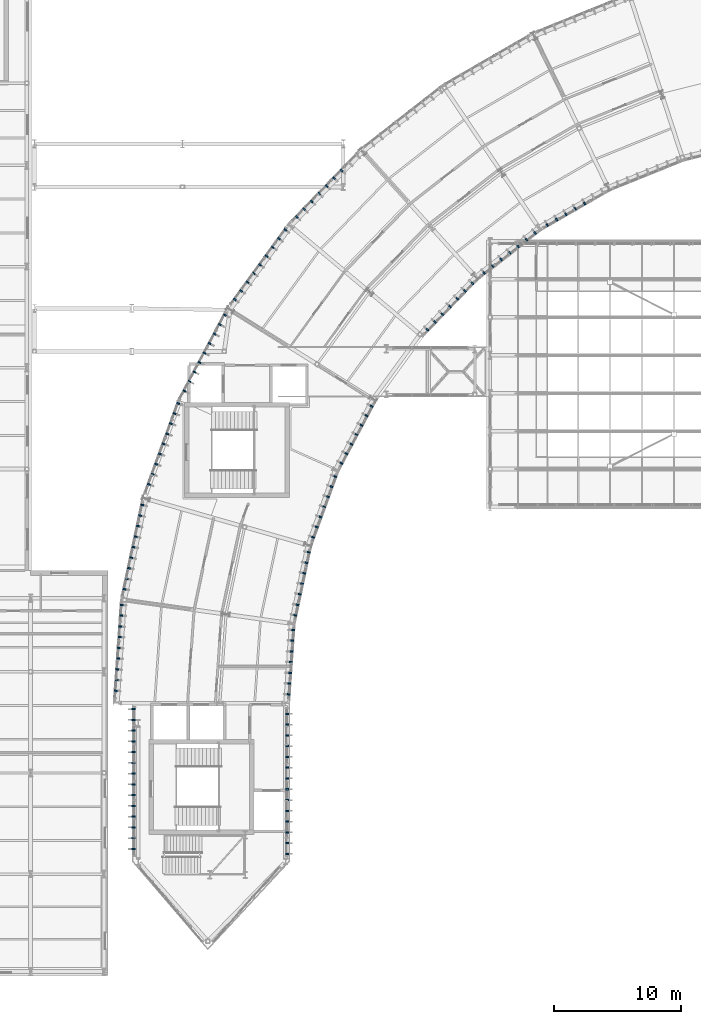
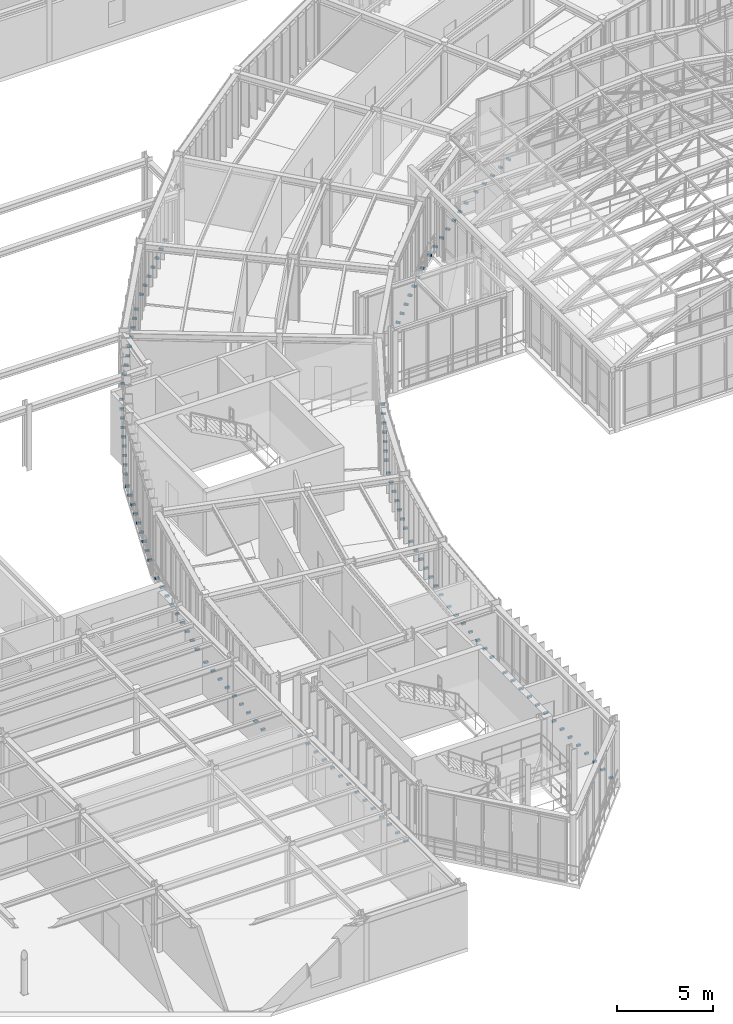
# One storey, part 135 of 148: 127 discrete accessories.
"""IFC4 building model written with IfcOpenShell, lengths in metres."""

from ifc_helpers import new_model, si_unit, direction, frame, origin, origin_2d, place, context, subcontext, project, spatial, rectangle, extrude, material, type_object, element, save


model = new_model("IFC4")

# Units and contexts
model_context = context("Model", 3, precision=1e-05, world=origin(), true_north=direction((0.0, 1.0)))
body_context = subcontext(model_context, "Body", "Model", "MODEL_VIEW")
ifc_project = project(units=[si_unit("LENGTHUNIT", "METRE"), si_unit("AREAUNIT", "SQUARE_METRE"), si_unit("VOLUMEUNIT", "CUBIC_METRE"), si_unit("PLANEANGLEUNIT", "RADIAN"), si_unit("MASSUNIT", "GRAM", prefix="KILO"), si_unit("THERMODYNAMICTEMPERATUREUNIT", "KELVIN"), si_unit("POWERUNIT", "WATT")], contexts=[model_context])

# Site, building, storey
site_placement = place(None, origin())
site = spatial("IfcSite", under=ifc_project, at=site_placement, CompositionType="ELEMENT")
building_placement = place(site_placement, origin())
building = spatial("IfcBuilding", under=site, at=building_placement, Name="Solvatero Civic Police Headquarters", CompositionType="ELEMENT")
storey_placement = place(building_placement, frame((0.0, 0.0, 5.10009765625)))
storey = spatial("IfcBuildingStorey", under=building, at=storey_placement, Name="L01", CompositionType="ELEMENT", Elevation=5.10009765625)

# Discrete accessories
ifc_material = material(Name="Steel S355", Category="steel")
discrete_accessory_type = type_object("IfcDiscreteAccessoryType", Name="ACC-BRK-FIN", PredefinedType="BRACKET", material=ifc_material)
for number, where, z_axis, x_axis, name in (
    (1, (72.269775390625, 65.485107421875, -0.000244140625), (0.0, 0.0, 1.0), (-0.866025403784, -0.5, 0.0), "Slab-Edge Fin Bracket 0229"),
    (2, (71.53369140625, 65.06005859375, -0.000244140625), (0.0, 0.0, 1.0), (-0.866025403784, -0.5, 0.0), "Slab-Edge Fin Bracket 0230"),
    (3, (70.797607421875, 64.635009765625, -0.000244140625), (0.0, 0.0, 1.0), (-0.866025403784, -0.5, 0.0), "Slab-Edge Fin Bracket 0231"),
    (4, (70.061279296875, 64.2099609375, -0.000244140625), (0.0, 0.0, 1.0), (-0.866025403784, -0.5, 0.0), "Slab-Edge Fin Bracket 0232"),
    (5, (69.3251953125, 63.784912109375, -0.000244140625), (0.0, 0.0, 1.0), (-0.866025403784, -0.5, 0.0), "Slab-Edge Fin Bracket 0233"),
    (6, (68.35546875, 63.146484375, -0.000244140625), (0.0, 0.0, 1.0), (-0.788010753607, -0.615661475326, 0.0), "Slab-Edge Fin Bracket 0243"),
    (7, (67.685791015625, 62.623291015625, -0.000244140625), (0.0, 0.0, 1.0), (-0.788010753607, -0.615661475326, 0.0), "Slab-Edge Fin Bracket 0244"),
    (8, (67.015869140625, 62.099853515625, -0.000244140625), (0.0, 0.0, 1.0), (-0.788010753607, -0.615661475326, 0.0), "Slab-Edge Fin Bracket 0245"),
    (9, (66.34619140625, 61.576416015625, -0.000244140625), (0.0, 0.0, 1.0), (-0.788010753607, -0.615661475326, 0.0), "Slab-Edge Fin Bracket 0246"),
    (10, (65.67626953125, 61.05322265625, -0.000244140625), (0.0, 0.0, 1.0), (-0.788010753607, -0.615661475326, 0.0), "Slab-Edge Fin Bracket 0247"),
    (11, (65.006591796875, 60.52978515625, -0.000244140625), (0.0, 0.0, 1.0), (-0.788010753607, -0.615661475326, 0.0), "Slab-Edge Fin Bracket 0248"),
    (12, (64.336669921875, 60.006591796875, -0.000244140625), (0.0, 0.0, 1.0), (-0.788010753607, -0.615661475326, 0.0), "Slab-Edge Fin Bracket 0249"),
    (13, (53.0703125, 68.0986328125, -0.000244140625), (0.0, 0.0, 1.0), (-0.694645815505, -0.719351924305, 0.0), "Slab-Edge Fin Bracket 0252"),
    (14, (52.47998046875, 67.4873046875, -0.000244140625), (0.0, 0.0, 1.0), (-0.694645815505, -0.719351924305, 0.0), "Slab-Edge Fin Bracket 0253"),
    (15, (51.889404296875, 66.875732421875, -0.000244140625), (0.0, 0.0, 1.0), (-0.694645815505, -0.719351924305, 0.0), "Slab-Edge Fin Bracket 0254"),
    (16, (51.299072265625, 66.264404296875, -0.000244140625), (0.0, 0.0, 1.0), (-0.694645815505, -0.719351924305, 0.0), "Slab-Edge Fin Bracket 0255"),
    (17, (50.70849609375, 65.65283203125, -0.000244140625), (0.0, 0.0, 1.0), (-0.694645815505, -0.719351924305, 0.0), "Slab-Edge Fin Bracket 0256"),
    (18, (50.117919921875, 65.04150390625, -0.000244140625), (0.0, 0.0, 1.0), (-0.694645815505, -0.719351924305, 0.0), "Slab-Edge Fin Bracket 0257"),
    (19, (49.527587890625, 64.43017578125, -0.000244140625), (0.0, 0.0, 1.0), (-0.694645815505, -0.719351924305, 0.0), "Slab-Edge Fin Bracket 0258"),
    (20, (63.40185546875, 59.181396484375, -0.000244140625), (0.0, 0.0, 1.0), (-0.694658370459, -0.719339800339, 0.0), "Slab-Edge Fin Bracket 0259"),
    (21, (62.811279296875, 58.56982421875, -0.000244140625), (0.0, 0.0, 1.0), (-0.694658370459, -0.719339800339, 0.0), "Slab-Edge Fin Bracket 0260"),
    (22, (62.220947265625, 57.95849609375, -0.000244140625), (0.0, 0.0, 1.0), (-0.694658370459, -0.719339800339, 0.0), "Slab-Edge Fin Bracket 0261"),
    (23, (61.630615234375, 57.346923828125, -0.000244140625), (0.0, 0.0, 1.0), (-0.694658370459, -0.719339800339, 0.0), "Slab-Edge Fin Bracket 0262"),
    (24, (61.0400390625, 56.735595703125, -0.000244140625), (0.0, 0.0, 1.0), (-0.694658370459, -0.719339800339, 0.0), "Slab-Edge Fin Bracket 0263"),
    (25, (60.44970703125, 56.1240234375, -0.000244140625), (0.0, 0.0, 1.0), (-0.694658370459, -0.719339800339, 0.0), "Slab-Edge Fin Bracket 0264"),
    (26, (59.859130859375, 55.5126953125, -0.000244140625), (0.0, 0.0, 1.0), (-0.694658370459, -0.719339800339, 0.0), "Slab-Edge Fin Bracket 0265"),
    (27, (48.63134765625, 63.398681640625, -0.000244140625), (0.0, 0.0, 1.0), (-0.587785252292, -0.809016994375, 0.0), "Slab-Edge Fin Bracket 0266"),
    (28, (48.131591796875, 62.711181640625, -0.000244140625), (0.0, 0.0, 1.0), (-0.587785252292, -0.809016994375, 0.0), "Slab-Edge Fin Bracket 0267"),
    (29, (47.632080078125, 62.0234375, -0.000244140625), (0.0, 0.0, 1.0), (-0.587785252292, -0.809016994375, 0.0), "Slab-Edge Fin Bracket 0268"),
    (30, (47.13232421875, 61.335693359375, -0.000244140625), (0.0, 0.0, 1.0), (-0.587785252292, -0.809016994375, 0.0), "Slab-Edge Fin Bracket 0269"),
    (31, (46.6328125, 60.648193359375, -0.000244140625), (0.0, 0.0, 1.0), (-0.587785252292, -0.809016994375, 0.0), "Slab-Edge Fin Bracket 0270"),
    (32, (46.13330078125, 59.96044921875, -0.000244140625), (0.0, 0.0, 1.0), (-0.587785252292, -0.809016994375, 0.0), "Slab-Edge Fin Bracket 0271"),
    (33, (45.633544921875, 59.272705078125, -0.000244140625), (0.0, 0.0, 1.0), (-0.587785252292, -0.809016994375, 0.0), "Slab-Edge Fin Bracket 0272"),
    (34, (45.134033203125, 58.585205078125, -0.000244140625), (0.0, 0.0, 1.0), (-0.587785252292, -0.809016994375, 0.0), "Slab-Edge Fin Bracket 0273"),
    (35, (44.63427734375, 57.8974609375, -0.000244140625), (0.0, 0.0, 1.0), (-0.587785252292, -0.809016994375, 0.0), "Slab-Edge Fin Bracket 0274"),
    (36, (43.845458984375, 56.678466796875, -0.000244140625), (0.0, 0.0, 1.0), (-0.469471562786, -0.882947592859, 0.0), "Slab-Edge Fin Bracket 0275"),
    (37, (43.4462890625, 55.927978515625, -0.000244140625), (0.0, 0.0, 1.0), (-0.469471562786, -0.882947592859, 0.0), "Slab-Edge Fin Bracket 0276"),
    (38, (43.047119140625, 55.177490234375, -0.000244140625), (0.0, 0.0, 1.0), (-0.469471562786, -0.882947592859, 0.0), "Slab-Edge Fin Bracket 0277"),
    (39, (42.648193359375, 54.427001953125, -0.000244140625), (0.0, 0.0, 1.0), (-0.469471562786, -0.882947592859, 0.0), "Slab-Edge Fin Bracket 0278"),
    (40, (42.2490234375, 53.676513671875, -0.000244140625), (0.0, 0.0, 1.0), (-0.469471562786, -0.882947592859, 0.0), "Slab-Edge Fin Bracket 0279"),
    (41, (41.85009765625, 52.92578125, -0.000244140625), (0.0, 0.0, 1.0), (-0.469471562786, -0.882947592859, 0.0), "Slab-Edge Fin Bracket 0280"),
    (42, (41.450927734375, 52.17529296875, -0.000244140625), (0.0, 0.0, 1.0), (-0.469471562786, -0.882947592859, 0.0), "Slab-Edge Fin Bracket 0281"),
    (43, (41.052001953125, 51.4248046875, -0.000244140625), (0.0, 0.0, 1.0), (-0.469471562786, -0.882947592859, 0.0), "Slab-Edge Fin Bracket 0282"),
    (44, (40.65283203125, 50.67431640625, -0.000244140625), (0.0, 0.0, 1.0), (-0.469471562786, -0.882947592859, 0.0), "Slab-Edge Fin Bracket 0283"),
    (45, (55.44580078125, 49.470703125, -0.000244140625), (0.0, 0.0, 1.0), (-0.469471562786, -0.882947592859, 0.0), "Slab-Edge Fin Bracket 0284"),
    (46, (55.046875, 48.72021484375, -0.000244140625), (0.0, 0.0, 1.0), (-0.469471562786, -0.882947592859, 0.0), "Slab-Edge Fin Bracket 0285"),
    (47, (54.647705078125, 47.9697265625, -0.000244140625), (0.0, 0.0, 1.0), (-0.469471562786, -0.882947592859, 0.0), "Slab-Edge Fin Bracket 0286"),
    (48, (54.248779296875, 47.21923828125, -0.000244140625), (0.0, 0.0, 1.0), (-0.469471562786, -0.882947592859, 0.0), "Slab-Edge Fin Bracket 0287"),
    (49, (53.849609375, 46.46875, -0.000244140625), (0.0, 0.0, 1.0), (-0.469471562786, -0.882947592859, 0.0), "Slab-Edge Fin Bracket 0288"),
    (50, (53.45068359375, 45.71826171875, -0.000244140625), (0.0, 0.0, 1.0), (-0.469471562786, -0.882947592859, 0.0), "Slab-Edge Fin Bracket 0289"),
    (51, (53.051513671875, 44.9677734375, -0.000244140625), (0.0, 0.0, 1.0), (-0.469471562786, -0.882947592859, 0.0), "Slab-Edge Fin Bracket 0290"),
    (52, (40.16845703125, 49.687255859375, -0.000244140625), (0.0, 0.0, 1.0), (-0.342020143326, -0.939692620786, 0.0), "Slab-Edge Fin Bracket 0291"),
    (53, (39.877685546875, 48.888427734375, -0.000244140625), (0.0, 0.0, 1.0), (-0.342020143326, -0.939692620786, 0.0), "Slab-Edge Fin Bracket 0292"),
    (54, (39.587158203125, 48.08984375, -0.000244140625), (0.0, 0.0, 1.0), (-0.342020143326, -0.939692620786, 0.0), "Slab-Edge Fin Bracket 0293"),
    (55, (39.29638671875, 47.291015625, -0.000244140625), (0.0, 0.0, 1.0), (-0.342020143326, -0.939692620786, 0.0), "Slab-Edge Fin Bracket 0294"),
    (56, (39.005615234375, 46.4921875, -0.000244140625), (0.0, 0.0, 1.0), (-0.342020143326, -0.939692620786, 0.0), "Slab-Edge Fin Bracket 0295"),
    (57, (38.71484375, 45.693603515625, -0.000244140625), (0.0, 0.0, 1.0), (-0.342020143326, -0.939692620786, 0.0), "Slab-Edge Fin Bracket 0296"),
    (58, (38.42431640625, 44.894775390625, -0.000244140625), (0.0, 0.0, 1.0), (-0.342020143326, -0.939692620786, 0.0), "Slab-Edge Fin Bracket 0297"),
    (59, (38.133544921875, 44.09619140625, -0.000244140625), (0.0, 0.0, 1.0), (-0.342020143326, -0.939692620786, 0.0), "Slab-Edge Fin Bracket 0298"),
    (60, (37.8427734375, 43.29736328125, -0.000244140625), (0.0, 0.0, 1.0), (-0.342020143326, -0.939692620786, 0.0), "Slab-Edge Fin Bracket 0299"),
    (61, (52.567626953125, 43.912353515625, -0.000244140625), (0.0, 0.0, 1.0), (-0.342020143326, -0.939692620786, 0.0), "Slab-Edge Fin Bracket 0300"),
    (62, (52.27685546875, 43.113525390625, -0.000244140625), (0.0, 0.0, 1.0), (-0.342020143326, -0.939692620786, 0.0), "Slab-Edge Fin Bracket 0301"),
    (63, (51.986083984375, 42.31494140625, -0.000244140625), (0.0, 0.0, 1.0), (-0.342020143326, -0.939692620786, 0.0), "Slab-Edge Fin Bracket 0302"),
    (64, (51.695556640625, 41.51611328125, -0.000244140625), (0.0, 0.0, 1.0), (-0.342020143326, -0.939692620786, 0.0), "Slab-Edge Fin Bracket 0303"),
    (65, (51.40478515625, 40.71728515625, -0.000244140625), (0.0, 0.0, 1.0), (-0.342020143326, -0.939692620786, 0.0), "Slab-Edge Fin Bracket 0304"),
    (66, (51.114013671875, 39.918701171875, -0.000244140625), (0.0, 0.0, 1.0), (-0.342020143326, -0.939692620786, 0.0), "Slab-Edge Fin Bracket 0305"),
    (67, (50.823486328125, 39.119873046875, -0.000244140625), (0.0, 0.0, 1.0), (-0.342020143326, -0.939692620786, 0.0), "Slab-Edge Fin Bracket 0306"),
    (68, (37.33203125, 41.66552734375, -0.000244140625), (0.0, 0.0, 1.0), (-0.207911690818, -0.978147600734, 0.0), "Slab-Edge Fin Bracket 0307"),
    (69, (37.155517578125, 40.833984375, -0.000244140625), (0.0, 0.0, 1.0), (-0.207911690818, -0.978147600734, 0.0), "Slab-Edge Fin Bracket 0308"),
    (70, (36.978759765625, 40.002685546875, -0.000244140625), (0.0, 0.0, 1.0), (-0.207911690818, -0.978147600734, 0.0), "Slab-Edge Fin Bracket 0309"),
    (71, (36.802001953125, 39.171142578125, -0.000244140625), (0.0, 0.0, 1.0), (-0.207911690818, -0.978147600734, 0.0), "Slab-Edge Fin Bracket 0310"),
    (72, (36.625244140625, 38.33984375, -0.000244140625), (0.0, 0.0, 1.0), (-0.207911690818, -0.978147600734, 0.0), "Slab-Edge Fin Bracket 0311"),
    (73, (36.448486328125, 37.50830078125, -0.000244140625), (0.0, 0.0, 1.0), (-0.207911690818, -0.978147600734, 0.0), "Slab-Edge Fin Bracket 0312"),
    (74, (36.271728515625, 36.677001953125, -0.000244140625), (0.0, 0.0, 1.0), (-0.207911690818, -0.978147600734, 0.0), "Slab-Edge Fin Bracket 0313"),
    (75, (36.094970703125, 35.845458984375, -0.000244140625), (0.0, 0.0, 1.0), (-0.207911690818, -0.978147600734, 0.0), "Slab-Edge Fin Bracket 0314"),
    (76, (35.918212890625, 35.01416015625, -0.000244140625), (0.0, 0.0, 1.0), (-0.207911690818, -0.978147600734, 0.0), "Slab-Edge Fin Bracket 0315"),
    (77, (50.469970703125, 37.934814453125, -0.000244140625), (0.0, 0.0, 1.0), (-0.207911690818, -0.978147600734, 0.0), "Slab-Edge Fin Bracket 0316"),
    (78, (50.293212890625, 37.103271484375, -0.000244140625), (0.0, 0.0, 1.0), (-0.207911690818, -0.978147600734, 0.0), "Slab-Edge Fin Bracket 0317"),
    (79, (50.11669921875, 36.271728515625, -0.000244140625), (0.0, 0.0, 1.0), (-0.207911690818, -0.978147600734, 0.0), "Slab-Edge Fin Bracket 0318"),
    (80, (49.939697265625, 35.4404296875, -0.000244140625), (0.0, 0.0, 1.0), (-0.207911690818, -0.978147600734, 0.0), "Slab-Edge Fin Bracket 0319"),
    (81, (49.76318359375, 34.60888671875, -0.000244140625), (0.0, 0.0, 1.0), (-0.207911690818, -0.978147600734, 0.0), "Slab-Edge Fin Bracket 0320"),
    (82, (49.58642578125, 33.777587890625, -0.000244140625), (0.0, 0.0, 1.0), (-0.207911690818, -0.978147600734, 0.0), "Slab-Edge Fin Bracket 0321"),
    (83, (49.40966796875, 32.946044921875, -0.000244140625), (0.0, 0.0, 1.0), (-0.207911690818, -0.978147600734, 0.0), "Slab-Edge Fin Bracket 0322"),
    (84, (35.713623046875, 33.77392578125, -0.000244140625), (0.0, 0.0, 1.0), (-0.069756473744, -0.99756405026, 0.0), "Slab-Edge Fin Bracket 0323"),
    (85, (35.654296875, 32.926025390625, -0.000244140625), (0.0, 0.0, 1.0), (-0.069756473744, -0.99756405026, 0.0), "Slab-Edge Fin Bracket 0324"),
    (86, (35.59521484375, 32.078125, -0.000244140625), (0.0, 0.0, 1.0), (-0.069756473744, -0.99756405026, 0.0), "Slab-Edge Fin Bracket 0325"),
    (87, (35.535888671875, 31.230224609375, -0.000244140625), (0.0, 0.0, 1.0), (-0.069756473744, -0.99756405026, 0.0), "Slab-Edge Fin Bracket 0326"),
    (88, (35.4765625, 30.38232421875, -0.000244140625), (0.0, 0.0, 1.0), (-0.069756473744, -0.99756405026, 0.0), "Slab-Edge Fin Bracket 0327"),
    (89, (35.417236328125, 29.534423828125, -0.000244140625), (0.0, 0.0, 1.0), (-0.069756473744, -0.99756405026, 0.0), "Slab-Edge Fin Bracket 0328"),
    (90, (35.35791015625, 28.686279296875, -0.000244140625), (0.0, 0.0, 1.0), (-0.069756473744, -0.99756405026, 0.0), "Slab-Edge Fin Bracket 0329"),
    (91, (35.298583984375, 27.83837890625, -0.000244140625), (0.0, 0.0, 1.0), (-0.069756473744, -0.99756405026, 0.0), "Slab-Edge Fin Bracket 0330"),
    (92, (35.239501953125, 26.990478515625, -0.000244140625), (0.0, 0.0, 1.0), (-0.069756473744, -0.99756405026, 0.0), "Slab-Edge Fin Bracket 0331"),
    (93, (49.2353515625, 31.798095703125, -0.000244140625), (0.0, 0.0, 1.0), (-0.069739062956, -0.997565267588, 0.0), "Slab-Edge Fin Bracket 0332"),
    (94, (49.176025390625, 30.9501953125, -0.000244140625), (0.0, 0.0, 1.0), (-0.069739062956, -0.997565267588, 0.0), "Slab-Edge Fin Bracket 0333"),
    (95, (49.11669921875, 30.102294921875, -0.000244140625), (0.0, 0.0, 1.0), (-0.069739062956, -0.997565267588, 0.0), "Slab-Edge Fin Bracket 0334"),
    (96, (49.057373046875, 29.25439453125, -0.000244140625), (0.0, 0.0, 1.0), (-0.069739062956, -0.997565267588, 0.0), "Slab-Edge Fin Bracket 0335"),
    (97, (48.998046875, 28.406494140625, -0.000244140625), (0.0, 0.0, 1.0), (-0.069739062956, -0.997565267588, 0.0), "Slab-Edge Fin Bracket 0336"),
    (98, (48.938720703125, 27.55859375, -0.000244140625), (0.0, 0.0, 1.0), (-0.069739062956, -0.997565267588, 0.0), "Slab-Edge Fin Bracket 0337"),
    (99, (48.87939453125, 26.710693359375, -0.000244140625), (0.0, 0.0, 1.0), (-0.069739062956, -0.997565267588, 0.0), "Slab-Edge Fin Bracket 0338"),
    (100, (36.6298828125, 25.5400390625, -0.000244140625), (0.0, 0.0, 1.0), (0.0, -1.0, 0.0), "Slab-Edge Fin Bracket 0339"),
    (101, (36.6298828125, 24.68994140625, -0.000244140625), (0.0, 0.0, 1.0), (0.0, -1.0, 0.0), "Slab-Edge Fin Bracket 0340"),
    (102, (36.6298828125, 23.840087890625, -0.000244140625), (0.0, 0.0, 1.0), (0.0, -1.0, 0.0), "Slab-Edge Fin Bracket 0341"),
    (103, (36.6298828125, 22.989990234375, -0.000244140625), (0.0, 0.0, 1.0), (0.0, -1.0, 0.0), "Slab-Edge Fin Bracket 0342"),
    (104, (36.6298828125, 22.139892578125, -0.000244140625), (0.0, 0.0, 1.0), (0.0, -1.0, 0.0), "Slab-Edge Fin Bracket 0343"),
    (105, (36.6298828125, 21.2900390625, -0.000244140625), (0.0, 0.0, 1.0), (0.0, -1.0, 0.0), "Slab-Edge Fin Bracket 0344"),
    (106, (36.6298828125, 20.43994140625, -0.000244140625), (0.0, 0.0, 1.0), (0.0, -1.0, 0.0), "Slab-Edge Fin Bracket 0345"),
    (107, (36.6298828125, 19.590087890625, -0.000244140625), (0.0, 0.0, 1.0), (0.0, -1.0, 0.0), "Slab-Edge Fin Bracket 0346"),
    (108, (36.6298828125, 18.739990234375, -0.000244140625), (0.0, 0.0, 1.0), (0.0, -1.0, 0.0), "Slab-Edge Fin Bracket 0347"),
    (109, (36.6298828125, 17.889892578125, -0.000244140625), (0.0, 0.0, 1.0), (0.0, -1.0, 0.0), "Slab-Edge Fin Bracket 0348"),
    (110, (36.6298828125, 17.0400390625, -0.000244140625), (0.0, 0.0, 1.0), (0.0, -1.0, 0.0), "Slab-Edge Fin Bracket 0349"),
    (111, (36.6298828125, 16.18994140625, -0.000244140625), (0.0, 0.0, 1.0), (0.0, -1.0, 0.0), "Slab-Edge Fin Bracket 0350"),
    (112, (36.6298828125, 15.340087890625, -0.000244140625), (0.0, 0.0, 1.0), (0.0, -1.0, 0.0), "Slab-Edge Fin Bracket 0351"),
    (113, (36.6298828125, 14.489990234375, -0.000244140625), (0.0, 0.0, 1.0), (0.0, -1.0, 0.0), "Slab-Edge Fin Bracket 0352"),
    (114, (48.77001953125, 14.110107421875, -0.000244140625), (0.0, 0.0, 1.0), (0.0, 1.0, 0.0), "Slab-Edge Fin Bracket 0353"),
    (115, (48.77001953125, 14.9599609375, -0.000244140625), (0.0, 0.0, 1.0), (0.0, 1.0, 0.0), "Slab-Edge Fin Bracket 0354"),
    (116, (48.77001953125, 15.81005859375, -0.000244140625), (0.0, 0.0, 1.0), (0.0, 1.0, 0.0), "Slab-Edge Fin Bracket 0355"),
    (117, (48.77001953125, 16.659912109375, -0.000244140625), (0.0, 0.0, 1.0), (0.0, 1.0, 0.0), "Slab-Edge Fin Bracket 0356"),
    (118, (48.77001953125, 17.510009765625, -0.000244140625), (0.0, 0.0, 1.0), (0.0, 1.0, 0.0), "Slab-Edge Fin Bracket 0357"),
    (119, (48.77001953125, 18.360107421875, -0.000244140625), (0.0, 0.0, 1.0), (0.0, 1.0, 0.0), "Slab-Edge Fin Bracket 0358"),
    (120, (48.77001953125, 19.2099609375, -0.000244140625), (0.0, 0.0, 1.0), (0.0, 1.0, 0.0), "Slab-Edge Fin Bracket 0359"),
    (121, (48.77001953125, 20.06005859375, -0.000244140625), (0.0, 0.0, 1.0), (0.0, 1.0, 0.0), "Slab-Edge Fin Bracket 0360"),
    (122, (48.77001953125, 20.909912109375, -0.000244140625), (0.0, 0.0, 1.0), (0.0, 1.0, 0.0), "Slab-Edge Fin Bracket 0361"),
    (123, (48.77001953125, 21.760009765625, -0.000244140625), (0.0, 0.0, 1.0), (0.0, 1.0, 0.0), "Slab-Edge Fin Bracket 0362"),
    (124, (48.77001953125, 22.610107421875, -0.000244140625), (0.0, 0.0, 1.0), (0.0, 1.0, 0.0), "Slab-Edge Fin Bracket 0363"),
    (125, (48.77001953125, 23.4599609375, -0.000244140625), (0.0, 0.0, 1.0), (0.0, 1.0, 0.0), "Slab-Edge Fin Bracket 0364"),
    (126, (48.77001953125, 24.31005859375, -0.000244140625), (0.0, 0.0, 1.0), (0.0, 1.0, 0.0), "Slab-Edge Fin Bracket 0365"),
    (127, (48.77001953125, 25.159912109375, -0.000244140625), (0.0, 0.0, 1.0), (0.0, 1.0, 0.0), "Slab-Edge Fin Bracket 0366"),
):
    element("IfcDiscreteAccessory", number, at=place(storey_placement, frame(where, z_axis=z_axis, x_axis=x_axis)), inside=storey, type_object=discrete_accessory_type, Name=name, PredefinedType="BRACKET", context=body_context, shape_type="SweptSolid", body=[
        extrude(rectangle(XDim=0.1201171875, YDim=0.239990234375, at=origin_2d()), origin(), (0.0, 0.0, 1.0), 0.1201171875),
    ])

save(model, "model.ifc")
